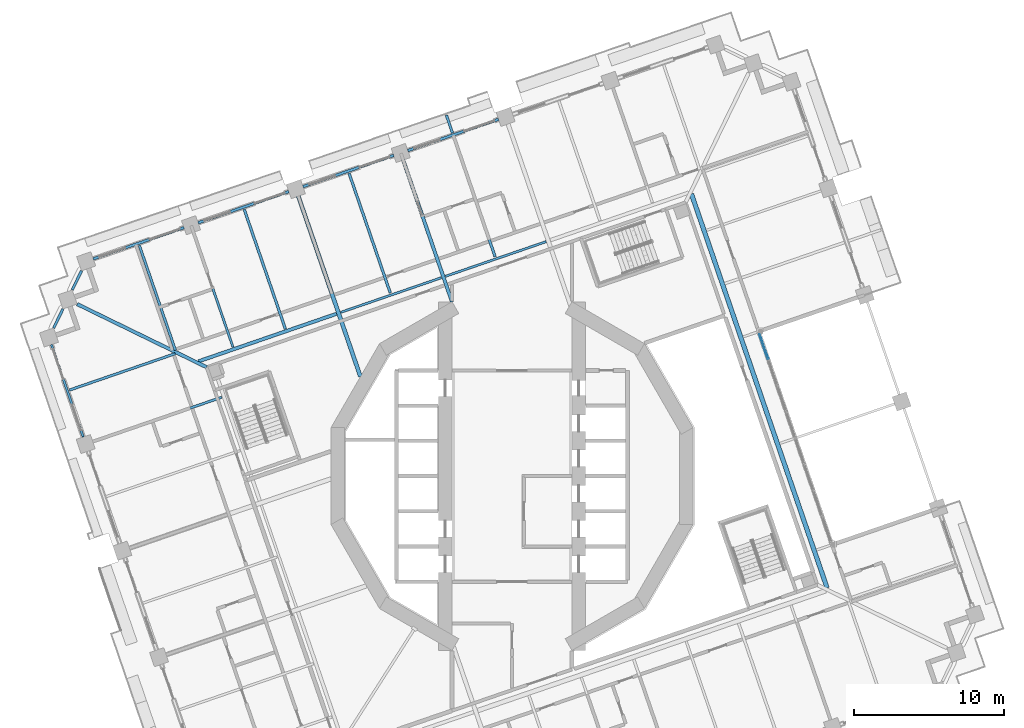
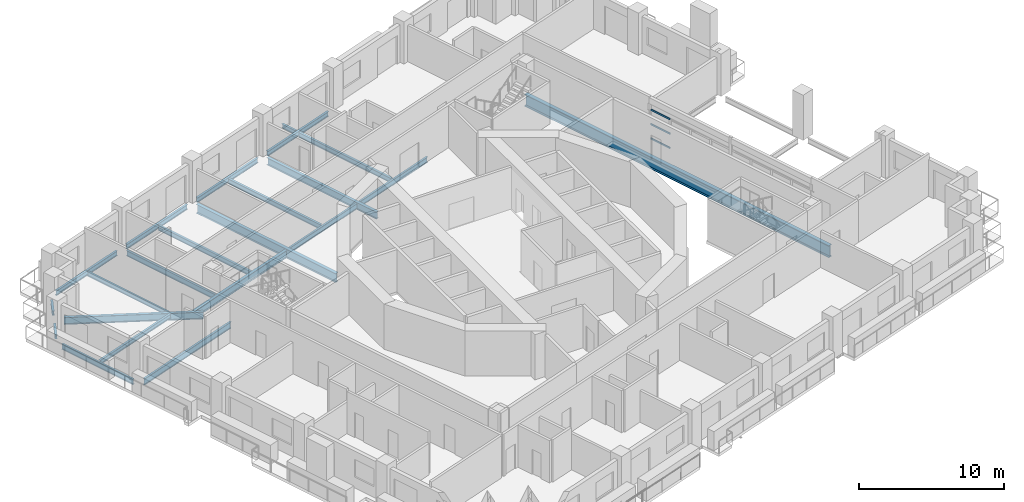
# One storey, part 3 of 22: 22 beams, 3 members, 1 element without a shape of its own.
"""IFC4 building model written with IfcOpenShell, lengths in metres."""

import ifcopenshell
import ifcopenshell.guid

model = None  # the IFC model being written
_history = None  # IfcOwnerHistory: only IFC2X3 demands one
_inside = {}  # id of a spatial element -> (the spatial element, [elements in it])
_under = {}  # id of a project, library or spatial element -> (it, [spatial elements below it])
_declared = {}  # id of a project -> (the project, [libraries it declares])
_typed = {}  # id of a type object -> (the type object, [elements of that type])
_made_of = {}  # id of a material, layer set ... -> (it, [elements and type objects made of it])


def new_model(schema):
    """Start an empty IFC model of exactly this schema.

    Asked for "IFC4X3", IfcOpenShell would pick the latest addendum, in which some entities
    have other attributes; the version numbers below select the first issue.
    IFC2X3 requires an IfcOwnerHistory on every rooted entity: one is made here for all.
    """
    global model, _history
    if schema == "IFC4X3":
        model = ifcopenshell.file(schema_version=(4, 3, 0, 0))
    else:
        model = ifcopenshell.file(schema=schema)
    _inside.clear()
    _under.clear()
    _declared.clear()
    _typed.clear()
    _made_of.clear()
    _history = None
    if model.schema == "IFC2X3":
        org = make("IfcOrganization", Name="unknown")
        user = make(
            "IfcPersonAndOrganization",
            ThePerson=make("IfcPerson", FamilyName="unknown"),
            TheOrganization=org,
        )
        app = make(
            "IfcApplication",
            ApplicationDeveloper=org,
            Version="unknown",
            ApplicationFullName="unknown",
            ApplicationIdentifier="unknown",
        )
        _history = make(
            "IfcOwnerHistory",
            OwningUser=user,
            OwningApplication=app,
            ChangeAction="ADDED",
            CreationDate=0,
        )
    return model


def make(cls, **values):
    """One entity of the class cls with the attributes given. An attribute that is None is left unset."""
    return model.create_entity(
        cls, **{name: value for name, value in values.items() if value is not None}
    )


def rooted(cls, **values):
    """An entity with a GlobalId (a new one), such as an element, a storey or a relation."""
    return make(cls, GlobalId=ifcopenshell.guid.new(), OwnerHistory=_history, **values)


def si_unit(unit_type, name, prefix=None):
    """IfcSIUnit, for example si_unit("LENGTHUNIT", "METRE", prefix="MILLI")."""
    return make("IfcSIUnit", UnitType=unit_type, Prefix=prefix, Name=name)


def assignment(units):
    """IfcUnitAssignment: the units of a project."""
    return None if units is None else make("IfcUnitAssignment", Units=units)


def point(xyz):
    """IfcCartesianPoint."""
    return None if xyz is None else make("IfcCartesianPoint", Coordinates=xyz)


def direction(xyz):
    """IfcDirection."""
    return None if xyz is None else make("IfcDirection", DirectionRatios=xyz)


def frame(location, z_axis=None, x_axis=None):
    """IfcAxis2Placement3D, a coordinate frame: its origin and axes. An axis left out is left unset."""
    return make(
        "IfcAxis2Placement3D",
        Location=point(location),
        Axis=direction(z_axis),
        RefDirection=direction(x_axis),
    )


def frame_2d(location, x_axis=None):
    """IfcAxis2Placement2D, a coordinate frame in the plane: its origin and x axis."""
    return make(
        "IfcAxis2Placement2D", Location=point(location), RefDirection=direction(x_axis)
    )


def origin():
    """The frame at (0, 0, 0) with its axes left unset."""
    return frame((0.0, 0.0, 0.0))


def origin_2d():
    """The frame at (0, 0) in the plane with its x axis left unset."""
    return frame_2d((0.0, 0.0))


def place(relative_to, where):
    """IfcLocalPlacement: puts the frame where relative to a parent placement (None: the world)."""
    return make(
        "IfcLocalPlacement", PlacementRelTo=relative_to, RelativePlacement=where
    )


def context(
    kind, dimensions, precision=None, world=None, true_north=None, identifier=None
):
    """IfcGeometricRepresentationContext, for example the 3D "Model" context."""
    return make(
        "IfcGeometricRepresentationContext",
        ContextIdentifier=identifier,
        ContextType=kind,
        CoordinateSpaceDimension=dimensions,
        Precision=precision,
        WorldCoordinateSystem=world,
        TrueNorth=true_north,
    )


def subcontext(parent, identifier, kind, view, scale=None):
    """IfcGeometricRepresentationSubContext, for example "Body" below "Model"."""
    return make(
        "IfcGeometricRepresentationSubContext",
        ContextIdentifier=identifier,
        ContextType=kind,
        ParentContext=parent,
        TargetScale=scale,
        TargetView=view,
    )


def project(units=None, contexts=None):
    """IfcProject with its units and contexts."""
    return rooted(
        "IfcProject",
        Name="project",
        RepresentationContexts=contexts,
        UnitsInContext=assignment(units),
    )


def spatial(cls, under=None, at=None, **own):
    """A site, building, storey or space (cls), placed at a placement, below another one or the project."""
    s = rooted(cls, ObjectPlacement=at, **own)
    if under is not None:
        _under.setdefault(under.id(), (under, []))[1].append(s)
    return s


def profile(cls, at=None, kind="AREA", **sizes):
    """A parametric profile (cls). Its sizes go by their IFC names, for example OverallWidth=200.0."""
    return make(cls, ProfileType=kind, Position=at, **sizes)


def rectangle(**sizes):
    """IfcRectangleProfileDef."""
    return profile("IfcRectangleProfileDef", **sizes)


def i_section(**sizes):
    """IfcIShapeProfileDef."""
    return profile("IfcIShapeProfileDef", **sizes)


def extrude(swept, where, along, depth):
    """IfcExtrudedAreaSolid: the profile swept, set in the frame where, extruded along a direction by depth."""
    return make(
        "IfcExtrudedAreaSolid",
        SweptArea=swept,
        Position=where,
        ExtrudedDirection=direction(along),
        Depth=depth,
    )


def shape(context_of_items, identifier, shape_type, items):
    """IfcShapeRepresentation: the items that make up one representation, for example the "Body"."""
    return make(
        "IfcShapeRepresentation",
        ContextOfItems=context_of_items,
        RepresentationIdentifier=identifier,
        RepresentationType=shape_type,
        Items=items,
    )


def material(Name=None, Category=None):
    """IfcMaterial."""
    return make("IfcMaterial", Name=Name, Category=Category)


def material_profile(
    of_material, cross_section, Name=None, Category=None, Priority=None
):
    """IfcMaterialProfile: a cross section and its material."""
    return make(
        "IfcMaterialProfile",
        Name=Name,
        Material=of_material,
        Profile=cross_section,
        Priority=Priority,
        Category=Category,
    )


def profile_set(profiles, Name=None, composite=None):
    """IfcMaterialProfileSet."""
    return make(
        "IfcMaterialProfileSet",
        Name=Name,
        MaterialProfiles=profiles,
        CompositeProfile=composite,
    )


def made_of(thing, what):
    """Note that an element or type object is made of a material, layer set ...; save() writes the relation."""
    if what is not None:
        _made_of.setdefault(what.id(), (what, []))[1].append(thing)
    return thing


def type_object(cls, material=None, **own):
    """A type object (cls), such as IfcWallType, which elements share."""
    return made_of(rooted(cls, **own), material)


def element(
    cls,
    number,
    at=None,
    inside=None,
    cuts=None,
    type_object=None,
    material=None,
    context=None,
    identifier="Body",
    shape_type=None,
    held_by="IfcProductDefinitionShape",
    body=None,
    shapes=None,
    **own,
):
    """One element of the class cls, such as IfcWall. Its Tag is "e" and its number.

    at: its placement. inside: the storey or other place that contains it. cuts: it is an
    opening in that element (IfcRelVoidsElement). A single representation is given by context,
    identifier, shape_type and body (its items); several are given by shapes. held_by: the class
    of the entity that holds the representations. save() writes the other relations.
    """
    e = rooted(cls, Tag="e%d" % number, ObjectPlacement=at, **own)
    if body is not None:
        shapes = [shape(context, identifier, shape_type, body)]
    if shapes is not None:
        e.Representation = make(held_by, Representations=shapes)
    if inside is not None:
        _inside.setdefault(inside.id(), (inside, []))[1].append(e)
    if cuts is not None:
        rooted(
            "IfcRelVoidsElement", RelatingBuildingElement=cuts, RelatedOpeningElement=e
        )
    if type_object is not None:
        _typed.setdefault(type_object.id(), (type_object, []))[1].append(e)
    return made_of(e, material)


def aggregate(whole, parts):
    """IfcRelAggregates: a whole, such as a stair, and the parts it consists of."""
    return rooted("IfcRelAggregates", RelatingObject=whole, RelatedObjects=parts)


def save(model, path):
    """Write the relations noted so far, then the file.

    IfcRelAggregates (storeys below a building ...), IfcRelContainedInSpatialStructure (elements
    in a storey), IfcRelDefinesByType, IfcRelAssociatesMaterial and IfcRelDeclares: one each for
    every whole, place, type object, material and project.
    """
    for whole, parts in _under.values():
        aggregate(whole, parts)
    for where, things in _inside.values():
        rooted(
            "IfcRelContainedInSpatialStructure",
            RelatedElements=things,
            RelatingStructure=where,
        )
    for kind, things in _typed.values():
        rooted("IfcRelDefinesByType", RelatedObjects=things, RelatingType=kind)
    for what, things in _made_of.values():
        rooted("IfcRelAssociatesMaterial", RelatedObjects=things, RelatingMaterial=what)
    for by, libraries in _declared.values():
        rooted("IfcRelDeclares", RelatingContext=by, RelatedDefinitions=libraries)
    model.write(path)


model = new_model("IFC4")

# Units and contexts
model_context = context("Model", 3, precision=1e-05, world=origin(), true_north=direction((0.0, 1.0)))
body_context = subcontext(model_context, "Body", "Model", "MODEL_VIEW")
ifc_project = project(units=[si_unit("LENGTHUNIT", "METRE"), si_unit("AREAUNIT", "SQUARE_METRE"), si_unit("VOLUMEUNIT", "CUBIC_METRE"), si_unit("PLANEANGLEUNIT", "RADIAN"), si_unit("MASSUNIT", "GRAM", prefix="KILO")], contexts=[model_context])

# Site, building, storey
site_placement = place(None, origin())
site = spatial("IfcSite", under=ifc_project, at=site_placement, CompositionType="ELEMENT")
building_placement = place(site_placement, origin())
building = spatial("IfcBuilding", under=site, at=building_placement, Name="Cantera Rosa Tower", CompositionType="ELEMENT")
storey_placement = place(building_placement, frame((0.0, 0.0, 115.5)))
storey = spatial("IfcBuildingStorey", under=building, at=storey_placement, Name="L23", CompositionType="ELEMENT", Elevation=115.5)

# Curtain wall, members
ifc_material_1 = material(Name="Aluminium frame with clear glass", Category="aluminium")
curtain_wall_type = type_object("IfcCurtainWallType", Name="CW1 TERRACE POCKET GLAZING", PredefinedType="NOTDEFINED", material=ifc_material_1)
curtain_wall_placement = place(storey_placement, origin())
curtain_wall = element("IfcCurtainWall", 1, at=curtain_wall_placement, inside=storey, type_object=curtain_wall_type, Name="CW1 CW1", PredefinedType="NOTDEFINED")
ifc_material_2 = material(Name="Anodised bronze aluminium", Category="aluminium")
ifc_material_profile_1 = material_profile(ifc_material_2, rectangle(XDim=0.06005859375, YDim=0.139892578125, at=origin_2d()), Name="CW-TRANSOM 60x140 POCKET")
ifc_profile_set_1 = profile_set([ifc_material_profile_1], Name="Anodised bronze aluminium")
member_type = type_object("IfcMemberType", Name="CW-TRANSOM 60x140 POCKET", PredefinedType="USERDEFINED", material=ifc_profile_set_1)
member_1_placement = place(storey_placement, frame((17.08984375, 7.805419921875, 0.030029296875), z_axis=(-0.325541424444, 0.945527779058, 0.0), x_axis=(-0.945527779058, -0.325541424444, 0.0)))
member_1 = element("IfcMember", 2, at=member_1_placement, type_object=member_type, Name="CW1 transom 8.1", ObjectType="TRANSOM", PredefinedType="USERDEFINED", context=body_context, shape_type="SweptSolid", body=[
    extrude(rectangle(XDim=0.06005859375, YDim=0.139892578125, at=origin_2d()), origin(), (0.0, 0.0, 1.0), 1.758544921875),
])
member_2_placement = place(storey_placement, frame((17.08984375, 7.805419921875, 1.239990234375), z_axis=(-0.325541424444, 0.945527779058, 0.0), x_axis=(-0.945527779058, -0.325541424444, 0.0)))
member_2 = element("IfcMember", 3, at=member_2_placement, type_object=member_type, Name="CW1 transom 8.2", ObjectType="TRANSOM", PredefinedType="USERDEFINED", context=body_context, shape_type="SweptSolid", body=[
    extrude(rectangle(XDim=0.06005859375, YDim=0.139892578125, at=origin_2d()), origin(), (0.0, 0.0, 1.0), 1.758544921875),
])
member_3_placement = place(storey_placement, frame((17.08984375, 7.805419921875, 2.449951171875), z_axis=(-0.325541424444, 0.945527779058, 0.0), x_axis=(-0.945527779058, -0.325541424444, 0.0)))
member_3 = element("IfcMember", 4, at=member_3_placement, type_object=member_type, Name="CW1 transom 8.3", ObjectType="TRANSOM", PredefinedType="USERDEFINED", context=body_context, shape_type="SweptSolid", body=[
    extrude(rectangle(XDim=0.06005859375, YDim=0.139892578125, at=origin_2d()), origin(), (0.0, 0.0, 1.0), 1.758544921875),
])
aggregate(curtain_wall, [member_1, member_2, member_3])

# Beams
ifc_material_3 = material(Name="Steel ASTM A992 (Fy 345 MPa)", Category="steel")
ifc_material_profile_2 = material_profile(ifc_material_3, i_section(OverallWidth=0.302001953125, OverallDepth=1.010009765625, WebThickness=0.02099609375, FlangeThickness=0.0400390625, FilletRadius=0.030029296875, at=origin_2d()), Name="W1000X350")
ifc_profile_set_2 = profile_set([ifc_material_profile_2], Name="Steel ASTM A992 (Fy 345 MPa)")
beam_type_1 = type_object("IfcBeamType", Name="STEEL BEAM W1000X350", PredefinedType="BEAM", material=ifc_profile_set_2)
beam_1_placement = place(storey_placement, frame((21.024658203125, -7.46142578125, -0.7548828125), z_axis=(-0.325567899412, 0.945518663418, 0.0), x_axis=(-0.945518663418, -0.325567899412, 0.0)))
element("IfcBeam", 5, at=beam_1_placement, inside=storey, type_object=beam_type_1, Name="RB-Z2-07 L23", PredefinedType="BEAM", context=body_context, shape_type="SweptSolid", body=[
    extrude(i_section(OverallWidth=0.302001953125, OverallDepth=1.010009765625, WebThickness=0.02099609375, FlangeThickness=0.0400390625, FilletRadius=0.030029296875, at=origin_2d()), origin(), (0.0, 0.0, 1.0), 27.800048828125),
])
ifc_material_4 = material(Name="Steel ASTM A992 (Fy 345 MPa)", Category="steel")
ifc_material_profile_3 = material_profile(ifc_material_4, i_section(OverallWidth=0.154052734375, OverallDepth=0.4599609375, WebThickness=0.009033203125, FlangeThickness=0.015380859375, FilletRadius=0.01025390625, at=origin_2d()), Name="W460X68")
ifc_profile_set_3 = profile_set([ifc_material_profile_3], Name="Steel ASTM A992 (Fy 345 MPa)")
beam_type_2 = type_object("IfcBeamType", Name="STEEL BEAM W460X68", PredefinedType="BEAM", material=ifc_profile_set_3)
beam_2_placement = place(storey_placement, frame((-21.25390625, 16.2666015625, -0.47998046875), z_axis=(0.325580085327, -0.945514467387, 0.0), x_axis=(0.945514467387, 0.325580085327, 0.0)))
element("IfcBeam", 6, at=beam_2_placement, inside=storey, type_object=beam_type_2, Name="G-Z2-09 L23", PredefinedType="BEAM", context=body_context, shape_type="SweptSolid", body=[
    extrude(i_section(OverallWidth=0.154052734375, OverallDepth=0.4599609375, WebThickness=0.009033203125, FlangeThickness=0.015380859375, FilletRadius=0.01025390625, at=origin_2d()), origin(), (0.0, 0.0, 1.0), 8.10009765625),
])
beam_3_placement = place(storey_placement, frame((-11.42919921875, 10.924072265625, -0.47998046875), z_axis=(0.945518325606, 0.32556888049, 0.0), x_axis=(-0.32556888049, 0.945518325606, 0.0)))
element("IfcBeam", 7, at=beam_3_placement, inside=storey, type_object=beam_type_2, Name="RB-Z2-02 L23", PredefinedType="BEAM", context=body_context, shape_type="SweptSolid", body=[
    extrude(i_section(OverallWidth=0.154052734375, OverallDepth=0.4599609375, WebThickness=0.009033203125, FlangeThickness=0.015380859375, FilletRadius=0.01025390625, at=origin_2d()), origin(), (0.0, 0.0, 1.0), 7.099853515625),
])
beam_4_placement = place(storey_placement, frame((-4.432373046875, 13.333251953125, -0.47998046875), z_axis=(0.945507740063, 0.325599621437, 0.0), x_axis=(-0.325599621437, 0.945507740063, 0.0)))
element("IfcBeam", 8, at=beam_4_placement, inside=storey, type_object=beam_type_2, Name="RB-Z2-03 L23", PredefinedType="BEAM", context=body_context, shape_type="SweptSolid", body=[
    extrude(i_section(OverallWidth=0.154052734375, OverallDepth=0.4599609375, WebThickness=0.009033203125, FlangeThickness=0.015380859375, FilletRadius=0.01025390625, at=origin_2d()), origin(), (0.0, 0.0, 1.0), 7.10009765625),
])
ifc_material_5 = material(Name="Steel ASTM A992 (Fy 345 MPa)", Category="steel")
ifc_material_profile_4 = material_profile(ifc_material_5, i_section(OverallWidth=0.166015625, OverallDepth=0.528076171875, WebThickness=0.009765625, FlangeThickness=0.013671875, FilletRadius=0.0126953125, at=origin_2d()), Name="W530X74")
ifc_profile_set_4 = profile_set([ifc_material_profile_4], Name="Steel ASTM A992 (Fy 345 MPa)")
beam_type_3 = type_object("IfcBeamType", Name="STEEL BEAM W530X74", PredefinedType="BEAM", material=ifc_profile_set_4)
beam_5_placement = place(storey_placement, frame((-27.97216796875, 2.29833984375, -0.513916015625), z_axis=(0.94551971591, 0.325564842737, 0.0), x_axis=(-0.325564842737, 0.94551971591, 0.0)))
element("IfcBeam", 9, at=beam_5_placement, inside=storey, type_object=beam_type_3, Name="G-Z2-15 L23", PredefinedType="BEAM", context=body_context, shape_type="SweptSolid", body=[
    extrude(i_section(OverallWidth=0.166015625, OverallDepth=0.528076171875, WebThickness=0.009765625, FlangeThickness=0.013671875, FilletRadius=0.0126953125, at=origin_2d()), origin(), (0.0, 0.0, 1.0), 9.10009765625),
])
ifc_material_6 = material(Name="Steel ASTM A992 (Fy 345 MPa)", Category="steel")
ifc_material_profile_5 = material_profile(ifc_material_6, i_section(OverallWidth=0.22802734375, OverallDepth=0.60205078125, WebThickness=0.010498046875, FlangeThickness=0.014892578125, FilletRadius=0.0126953125, at=origin_2d()), Name="W610X101")
ifc_profile_set_5 = profile_set([ifc_material_profile_5], Name="Steel ASTM A992 (Fy 345 MPa)")
beam_type_4 = type_object("IfcBeamType", Name="STEEL BEAM W610X101", PredefinedType="BEAM", material=ifc_profile_set_5)
beam_6_placement = place(storey_placement, frame((-29.017822265625, 11.47802734375, -0.551025390625), z_axis=(0.898796015179, -0.438367109965, 0.0), x_axis=(0.438367109965, 0.898796015179, 0.0)))
element("IfcBeam", 10, at=beam_6_placement, inside=storey, type_object=beam_type_4, Name="CB-Z2-02 L23", PredefinedType="BEAM", context=body_context, shape_type="SweptSolid", body=[
    extrude(i_section(OverallWidth=0.22802734375, OverallDepth=0.60205078125, WebThickness=0.010498046875, FlangeThickness=0.014892578125, FilletRadius=0.0126953125, at=origin_2d()), origin(), (0.0, 0.0, 1.0), 9.616455078125),
])
beam_7_placement = place(storey_placement, frame((-7.26025390625, 21.0849609375, -0.551025390625), z_axis=(0.325587365823, -0.945511960377, 0.0), x_axis=(0.945511960377, 0.325587365823, 0.0)))
element("IfcBeam", 11, at=beam_7_placement, inside=storey, type_object=beam_type_4, Name="G-Z2-07 L23", PredefinedType="BEAM", context=body_context, shape_type="SweptSolid", body=[
    extrude(i_section(OverallWidth=0.22802734375, OverallDepth=0.60205078125, WebThickness=0.010498046875, FlangeThickness=0.014892578125, FilletRadius=0.0126953125, at=origin_2d()), origin(), (0.0, 0.0, 1.0), 10.0),
])
ifc_material_7 = material(Name="Steel ASTM A992 (Fy 345 MPa)", Category="steel")
ifc_material_profile_6 = material_profile(ifc_material_7, i_section(OverallWidth=0.22900390625, OverallDepth=0.612060546875, WebThickness=0.011962890625, FlangeThickness=0.01953125, FilletRadius=0.0126953125, at=origin_2d()), Name="W610X125")
ifc_profile_set_6 = profile_set([ifc_material_profile_6], Name="Steel ASTM A992 (Fy 345 MPa)")
beam_type_5 = type_object("IfcBeamType", Name="STEEL BEAM W610X125", PredefinedType="BEAM", material=ifc_profile_set_6)
beam_8_placement = place(storey_placement, frame((-20.931640625, 7.652099609375, -0.555908203125), z_axis=(0.945517116269, 0.32557239263, 0.0), x_axis=(-0.32557239263, 0.945517116269, 0.0)))
element("IfcBeam", 12, at=beam_8_placement, inside=storey, type_object=beam_type_5, Name="RB-Z2-01 L23", PredefinedType="BEAM", context=body_context, shape_type="SweptSolid", body=[
    extrude(i_section(OverallWidth=0.22900390625, OverallDepth=0.612060546875, WebThickness=0.011962890625, FlangeThickness=0.01953125, FilletRadius=0.0126953125, at=origin_2d()), origin(), (0.0, 0.0, 1.0), 9.75),
])
ifc_material_8 = material(Name="Steel ASTM A992 (Fy 345 MPa)", Category="steel")
ifc_material_profile_7 = material_profile(ifc_material_8, i_section(OverallWidth=0.26708984375, OverallDepth=0.75390625, WebThickness=0.01318359375, FlangeThickness=0.01708984375, FilletRadius=0.0166015625, at=origin_2d()), Name="W760X147")
ifc_profile_set_7 = profile_set([ifc_material_profile_7], Name="Steel ASTM A992 (Fy 345 MPa)")
beam_type_6 = type_object("IfcBeamType", Name="STEEL BEAM W760X147", PredefinedType="BEAM", material=ifc_profile_set_7)
beam_9_placement = place(storey_placement, frame((-14.257080078125, 18.67578125, -0.626953125), z_axis=(0.325575880476, -0.945515915282, 0.0), x_axis=(0.945515915282, 0.325575880476, 0.0)))
element("IfcBeam", 13, at=beam_9_placement, inside=storey, type_object=beam_type_6, Name="G-Z2-08 L23", PredefinedType="BEAM", context=body_context, shape_type="SweptSolid", body=[
    extrude(i_section(OverallWidth=0.26708984375, OverallDepth=0.75390625, WebThickness=0.01318359375, FlangeThickness=0.01708984375, FilletRadius=0.0166015625, at=origin_2d()), origin(), (0.0, 0.0, 1.0), 12.734375),
])
ifc_material_9 = material(Name="Steel ASTM A992 (Fy 345 MPa)", Category="steel")
ifc_material_profile_8 = material_profile(ifc_material_9, i_section(OverallWidth=0.1708984375, OverallDepth=0.35595703125, WebThickness=0.00732421875, FlangeThickness=0.01171875, FilletRadius=0.010009765625, at=origin_2d()), Name="W360X51")
ifc_profile_set_8 = profile_set([ifc_material_profile_8], Name="Steel ASTM A992 (Fy 345 MPa)")
beam_type_7 = type_object("IfcBeamType", Name="STEEL JOIST W360X51", PredefinedType="JOIST", material=ifc_profile_set_8)
beam_10_placement = place(storey_placement, frame((-24.8662109375, 15.39306640625, -0.427978515625), z_axis=(0.325565645331, -0.945519439557, 0.0), x_axis=(0.945519439557, 0.325565645331, 0.0)))
element("IfcBeam", 14, at=beam_10_placement, inside=storey, type_object=beam_type_7, Name="B-Z2-11 L23", PredefinedType="JOIST", context=body_context, shape_type="SweptSolid", body=[
    extrude(i_section(OverallWidth=0.1708984375, OverallDepth=0.35595703125, WebThickness=0.00732421875, FlangeThickness=0.01171875, FilletRadius=0.010009765625, at=origin_2d()), origin(), (0.0, 0.0, 1.0), 7.39990234375),
])
beam_11_placement = place(storey_placement, frame((-29.52734375, 5.739501953125, -0.427978515625), z_axis=(0.945521732807, 0.325558985116, 0.0), x_axis=(-0.325558985116, 0.945521732807, 0.0)))
element("IfcBeam", 15, at=beam_11_placement, inside=storey, type_object=beam_type_7, Name="B-Z2-18 L23", PredefinedType="JOIST", context=body_context, shape_type="SweptSolid", body=[
    extrude(i_section(OverallWidth=0.1708984375, OverallDepth=0.35595703125, WebThickness=0.00732421875, FlangeThickness=0.01171875, FilletRadius=0.010009765625, at=origin_2d()), origin(), (0.0, 0.0, 1.0), 7.460205078125),
])
beam_12_placement = place(storey_placement, frame((-3.966796875, 22.88525390625, -0.427978515625), z_axis=(-0.3256515674, 0.945489850104, 0.0), x_axis=(-0.945489850104, -0.3256515674, 0.0)))
element("IfcBeam", 16, at=beam_12_placement, inside=storey, type_object=beam_type_7, Name="BS-Z2-06 L23", PredefinedType="JOIST", context=body_context, shape_type="SweptSolid", body=[
    extrude(i_section(OverallWidth=0.1708984375, OverallDepth=0.35595703125, WebThickness=0.00732421875, FlangeThickness=0.01171875, FilletRadius=0.010009765625, at=origin_2d()), origin(), (0.0, 0.0, 1.0), 1.2646484375),
])
ifc_material_10 = material(Name="Steel ASTM A992 (Fy 345 MPa)", Category="steel")
ifc_material_profile_9 = material_profile(ifc_material_10, i_section(OverallWidth=0.177978515625, OverallDepth=0.406005859375, WebThickness=0.0078125, FlangeThickness=0.0126953125, FilletRadius=0.01025390625, at=origin_2d()), Name="W410X60")
ifc_profile_set_9 = profile_set([ifc_material_profile_9], Name="Steel ASTM A992 (Fy 345 MPa)")
beam_type_8 = type_object("IfcBeamType", Name="STEEL JOIST W410X60", PredefinedType="JOIST", material=ifc_profile_set_9)
for number, where, z_axis, x_axis, name in (
    (17, (-3.875732421875, 22.62060546875, -0.452880859375), (0.325556131421, -0.945522715377, 0.0), (0.945522715377, 0.325556131421, 0.0), "B-Z2-08 L23"),
    (18, (-10.87255859375, 20.21142578125, -0.452880859375), (0.325556131421, -0.945522715377, 0.0), (0.945522715377, 0.325556131421, 0.0), "B-Z2-09 L23"),
    (19, (-17.869384765625, 17.80224609375, -0.452880859375), (0.325556131421, -0.945522715377, 0.0), (0.945522715377, 0.325556131421, 0.0), "B-Z2-10 L23"),
):
    element("IfcBeam", number, at=place(storey_placement, frame(where, z_axis=z_axis, x_axis=x_axis)), inside=storey, type_object=beam_type_8, Name=name, PredefinedType="JOIST", context=body_context, shape_type="SweptSolid", body=[
        extrude(i_section(OverallWidth=0.177978515625, OverallDepth=0.406005859375, WebThickness=0.0078125, FlangeThickness=0.0126953125, FilletRadius=0.01025390625, at=origin_2d()), origin(), (0.0, 0.0, 1.0), 8.4501953125),
    ])
ifc_material_11 = material(Name="Steel ASTM A992 (Fy 345 MPa)", Category="steel")
ifc_material_profile_10 = material_profile(ifc_material_11, i_section(OverallWidth=0.1708984375, OverallDepth=0.35595703125, WebThickness=0.00732421875, FlangeThickness=0.01171875, FilletRadius=0.010009765625, at=origin_2d()), Name="W360X51")
ifc_profile_set_10 = profile_set([ifc_material_profile_10], Name="Steel ASTM A992 (Fy 345 MPa)")
beam_type_9 = type_object("IfcBeamType", Name="STEEL SPANDREL BEAM W360X51", PredefinedType="SPANDREL", material=ifc_profile_set_10)
for number, where, z_axis, x_axis, name in (
    (20, (-28.723388671875, 13.694580078125, -0.427978515625), (-0.438491655897, -0.898735260079, 0.0), (0.898735260079, -0.438491655897, 0.0), "EB-Z2-14 L23"),
    (21, (-29.96337890625, 11.152587890625, -0.427978515625), (-0.438284186308, -0.898836454552, 0.0), (0.898836454552, -0.438284186308, 0.0), "EB-Z2-15 L23"),
):
    element("IfcBeam", number, at=place(storey_placement, frame(where, z_axis=z_axis, x_axis=x_axis)), inside=storey, type_object=beam_type_9, Name=name, PredefinedType="SPANDREL", context=body_context, shape_type="SweptSolid", body=[
        extrude(i_section(OverallWidth=0.1708984375, OverallDepth=0.35595703125, WebThickness=0.00732421875, FlangeThickness=0.01171875, FilletRadius=0.010009765625, at=origin_2d()), origin(), (0.0, 0.0, 1.0), 1.414306640625),
    ])
ifc_material_12 = material(Name="Steel ASTM A992 (Fy 345 MPa)", Category="steel")
ifc_material_profile_11 = material_profile(ifc_material_12, i_section(OverallWidth=0.177978515625, OverallDepth=0.406005859375, WebThickness=0.0078125, FlangeThickness=0.0126953125, FilletRadius=0.01025390625, at=origin_2d()), Name="W410X60")
ifc_profile_set_11 = profile_set([ifc_material_profile_11], Name="Steel ASTM A992 (Fy 345 MPa)")
beam_type_10 = type_object("IfcBeamType", Name="STEEL SPANDREL BEAM W410X60", PredefinedType="SPANDREL", material=ifc_profile_set_11)
for number, where, z_axis, x_axis, name in (
    (22, (-0.89892578125, 23.80419921875, -0.452880859375), (-0.945524496524, -0.325550958337, 0.0), (0.325550958337, -0.945524496524, 0.0), "EB-Z2-10 L23"),
    (23, (-7.895751953125, 21.39501953125, -0.452880859375), (-0.945524496524, -0.325550958337, 0.0), (0.325550958337, -0.945524496524, 0.0), "EB-Z2-11 L23"),
    (24, (-14.892578125, 18.98583984375, -0.452880859375), (-0.945512753621, -0.325585062219, 0.0), (0.325585062219, -0.945512753621, 0.0), "EB-Z2-12 L23"),
    (25, (-21.889404296875, 16.57666015625, -0.452880859375), (-0.945512753621, -0.325585062219, 0.0), (0.325585062219, -0.945512753621, 0.0), "EB-Z2-13 L23"),
):
    element("IfcBeam", number, at=place(storey_placement, frame(where, z_axis=z_axis, x_axis=x_axis)), inside=storey, type_object=beam_type_10, Name=name, PredefinedType="SPANDREL", context=body_context, shape_type="SweptSolid", body=[
        extrude(i_section(OverallWidth=0.177978515625, OverallDepth=0.406005859375, WebThickness=0.0078125, FlangeThickness=0.0126953125, FilletRadius=0.01025390625, at=origin_2d()), origin(), (0.0, 0.0, 1.0), 6.39990234375),
    ])
ifc_material_13 = material(Name="Steel ASTM A992 (Fy 345 MPa)", Category="steel")
ifc_material_profile_12 = material_profile(ifc_material_13, i_section(OverallWidth=0.154052734375, OverallDepth=0.4599609375, WebThickness=0.009033203125, FlangeThickness=0.015380859375, FilletRadius=0.01025390625, at=origin_2d()), Name="W460X68")
ifc_profile_set_12 = profile_set([ifc_material_profile_12], Name="Steel ASTM A992 (Fy 345 MPa)")
beam_type_11 = type_object("IfcBeamType", Name="STEEL SPANDREL BEAM W460X68", PredefinedType="SPANDREL", material=ifc_profile_set_12)
beam_13_placement = place(storey_placement, frame((-30.73046875, 8.773193359375, -0.47998046875), z_axis=(0.325580990241, -0.945514155787, 0.0), x_axis=(0.945514155787, 0.325580990241, 0.0)))
element("IfcBeam", 26, at=beam_13_placement, inside=storey, type_object=beam_type_11, Name="EB-Z2-16 L23", PredefinedType="SPANDREL", context=body_context, shape_type="SweptSolid", body=[
    extrude(i_section(OverallWidth=0.154052734375, OverallDepth=0.4599609375, WebThickness=0.009033203125, FlangeThickness=0.015380859375, FilletRadius=0.01025390625, at=origin_2d()), origin(), (0.0, 0.0, 1.0), 6.52001953125),
])

save(model, "model.ifc")
